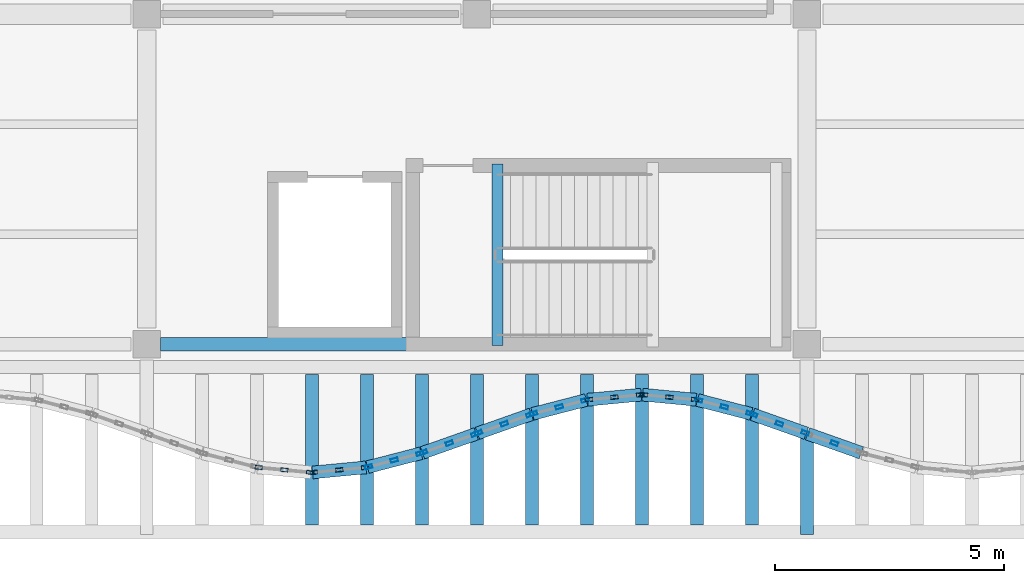
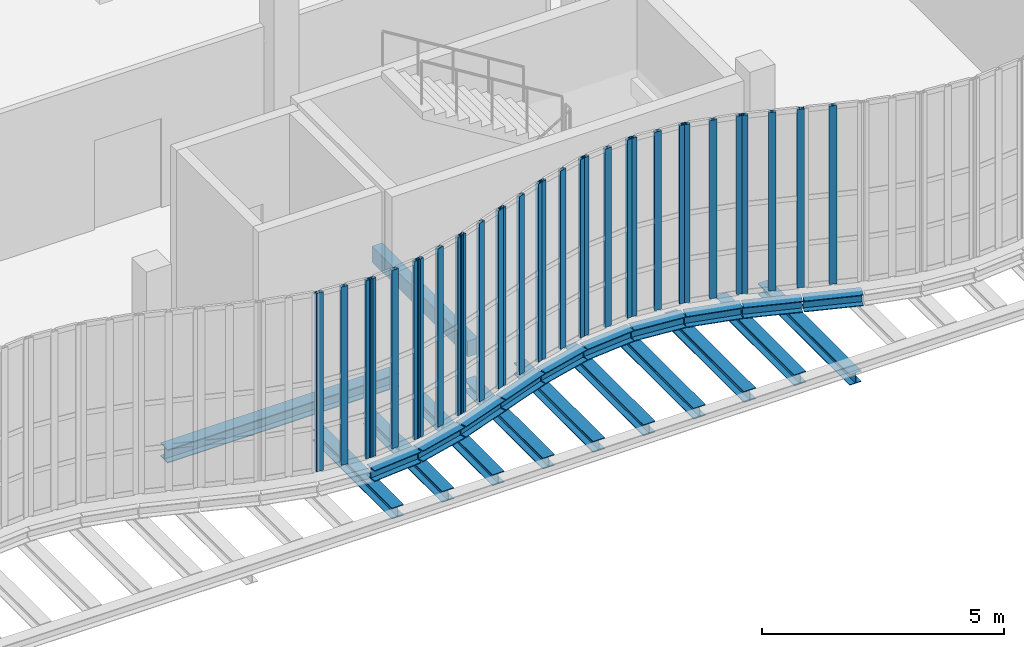
# One storey, part 32 of 105: 31 members, 22 beams, 11 elements without a shape of their own.
"""IFC4 building model written with IfcOpenShell, lengths in metres."""

from ifc_helpers import new_model, si_unit, direction, frame, origin, origin_2d, place, context, subcontext, project, spatial, rectangle, hollow_rectangle, i_section, extrude, material, layer, layer_set, material_profile, profile_set, type_object, element, aggregate, save


model = new_model("IFC4")

# Units and contexts
model_context = context("Model", 3, precision=1e-05, world=origin(), true_north=direction((0.0, 1.0)))
body_context = subcontext(model_context, "Body", "Model", "MODEL_VIEW")
ifc_project = project(units=[si_unit("LENGTHUNIT", "METRE"), si_unit("AREAUNIT", "SQUARE_METRE"), si_unit("VOLUMEUNIT", "CUBIC_METRE"), si_unit("PLANEANGLEUNIT", "RADIAN"), si_unit("MASSUNIT", "GRAM", prefix="KILO"), si_unit("THERMODYNAMICTEMPERATUREUNIT", "KELVIN"), si_unit("POWERUNIT", "WATT")], contexts=[model_context])

# Site, building, storey
site_placement = place(None, origin())
site = spatial("IfcSite", under=ifc_project, at=site_placement, CompositionType="ELEMENT")
building_placement = place(site_placement, origin())
building = spatial("IfcBuilding", under=site, at=building_placement, Name="Kaldorven Railside Theatre", CompositionType="ELEMENT")
storey_placement = place(building_placement, frame((0.0, 0.0, 9.89990234375)))
storey = spatial("IfcBuildingStorey", under=building, at=storey_placement, Name="L02", CompositionType="ELEMENT", Elevation=9.89990234375)

# Beams
ifc_material_1 = material(Name="Steel S355", Category="steel")
ifc_material_profile_1 = material_profile(ifc_material_1, i_section(OverallWidth=0.280029296875, OverallDepth=0.280029296875, WebThickness=0.010498046875, FlangeThickness=0.01806640625, at=origin_2d()), Name="HEB 280")
ifc_profile_set_1 = profile_set([ifc_material_profile_1], Name="Steel S355")
beam_type_1 = type_object("IfcBeamType", Name="BM-HEB280", PredefinedType="SPANDREL", material=ifc_profile_set_1)
beam_1_placement = place(storey_placement, frame((116.0, 15.050048828125, -0.97998046875), z_axis=(0.0, 1.0, 0.0), x_axis=(-1.0, 0.0, 0.0)))
element("IfcBeam", 1, at=beam_1_placement, inside=storey, type_object=beam_type_1, Name="L02 Sinusoidal Lower Cantilever Girder FOB-K023", PredefinedType="SPANDREL", context=body_context, shape_type="SweptSolid", body=[
    extrude(i_section(OverallWidth=0.280029296875, OverallDepth=0.280029296875, WebThickness=0.010498046875, FlangeThickness=0.01806640625, at=origin_2d()), origin(), (0.0, 0.0, 1.0), 3.800048828125),
])
beam_2_placement = place(storey_placement, frame((105.21484375, 16.4013671875, -0.419921875), z_axis=(0.99552436473, 0.094505233873, 0.0), x_axis=(-0.094505233873, 0.99552436473, 0.0)))
element("IfcBeam", 2, at=beam_2_placement, inside=storey, type_object=beam_type_1, Name="L02 Sinusoidal Flute Edge Spandrel FSB-130", PredefinedType="SPANDREL", context=body_context, shape_type="SweptSolid", body=[
    extrude(i_section(OverallWidth=0.280029296875, OverallDepth=0.280029296875, WebThickness=0.010498046875, FlangeThickness=0.01806640625, at=origin_2d()), origin(), (0.0, 0.0, 1.0), 1.175537109375),
])
beam_3_placement = place(storey_placement, frame((105.199951171875, 15.260009765625, -0.699951171875), z_axis=(0.0, 1.0, 0.0), x_axis=(-1.0, 0.0, 0.0)))
element("IfcBeam", 3, at=beam_3_placement, inside=storey, type_object=beam_type_1, Name="L02 Sinusoidal Diaphragm Rib Outrigger FOB-M130", PredefinedType="SPANDREL", context=body_context, shape_type="SweptSolid", body=[
    extrude(i_section(OverallWidth=0.280029296875, OverallDepth=0.280029296875, WebThickness=0.010498046875, FlangeThickness=0.01806640625, at=origin_2d()), origin(), (0.0, 0.0, 1.0), 3.280029296875),
])
beam_4_placement = place(storey_placement, frame((106.41455078125, 16.517578125, -0.419921875), z_axis=(0.967967836725, 0.251074226206, 0.0), x_axis=(-0.251074226206, 0.967967836725, 0.0)))
element("IfcBeam", 4, at=beam_4_placement, inside=storey, type_object=beam_type_1, Name="L02 Sinusoidal Flute Edge Spandrel FSB-131", PredefinedType="SPANDREL", context=body_context, shape_type="SweptSolid", body=[
    extrude(i_section(OverallWidth=0.280029296875, OverallDepth=0.280029296875, WebThickness=0.010498046875, FlangeThickness=0.01806640625, at=origin_2d()), origin(), (0.0, 0.0, 1.0), 1.209716796875),
])
beam_5_placement = place(storey_placement, frame((106.39990234375, 15.260009765625, -0.699951171875), z_axis=(0.0, 1.0, 0.0), x_axis=(-1.0, 0.0, 0.0)))
element("IfcBeam", 5, at=beam_5_placement, inside=storey, type_object=beam_type_1, Name="L02 Sinusoidal Diaphragm Rib Outrigger FOB-M131", PredefinedType="SPANDREL", context=body_context, shape_type="SweptSolid", body=[
    extrude(i_section(OverallWidth=0.280029296875, OverallDepth=0.280029296875, WebThickness=0.010498046875, FlangeThickness=0.01806640625, at=origin_2d()), origin(), (0.0, 0.0, 1.0), 3.280029296875),
])
beam_6_placement = place(storey_placement, frame((107.614013671875, 16.830078125, -0.419921875), z_axis=(0.942627225161, 0.333847142245, 0.0), x_axis=(-0.333847142245, 0.942627225161, 0.0)))
element("IfcBeam", 6, at=beam_6_placement, inside=storey, type_object=beam_type_1, Name="L02 Sinusoidal Flute Edge Spandrel FSB-132", PredefinedType="SPANDREL", context=body_context, shape_type="SweptSolid", body=[
    extrude(i_section(OverallWidth=0.280029296875, OverallDepth=0.280029296875, WebThickness=0.010498046875, FlangeThickness=0.01806640625, at=origin_2d()), origin(), (0.0, 0.0, 1.0), 1.2431640625),
])
beam_7_placement = place(storey_placement, frame((107.60009765625, 15.260009765625, -0.699951171875), z_axis=(0.0, 1.0, 0.0), x_axis=(-1.0, 0.0, 0.0)))
element("IfcBeam", 7, at=beam_7_placement, inside=storey, type_object=beam_type_1, Name="L02 Sinusoidal Diaphragm Rib Outrigger FOB-M132", PredefinedType="SPANDREL", context=body_context, shape_type="SweptSolid", body=[
    extrude(i_section(OverallWidth=0.280029296875, OverallDepth=0.280029296875, WebThickness=0.010498046875, FlangeThickness=0.01806640625, at=origin_2d()), origin(), (0.0, 0.0, 1.0), 3.280029296875),
])
beam_8_placement = place(storey_placement, frame((108.814208984375, 17.2548828125, -0.419921875), z_axis=(0.942605331688, 0.333908952671, 0.0), x_axis=(-0.333908952671, 0.942605331688, 0.0)))
element("IfcBeam", 8, at=beam_8_placement, inside=storey, type_object=beam_type_1, Name="L02 Sinusoidal Flute Edge Spandrel FSB-133", PredefinedType="SPANDREL", context=body_context, shape_type="SweptSolid", body=[
    extrude(i_section(OverallWidth=0.280029296875, OverallDepth=0.280029296875, WebThickness=0.010498046875, FlangeThickness=0.01806640625, at=origin_2d()), origin(), (0.0, 0.0, 1.0), 1.242919921875),
])
beam_9_placement = place(storey_placement, frame((108.800048828125, 15.260009765625, -0.699951171875), z_axis=(0.0, 1.0, 0.0), x_axis=(-1.0, 0.0, 0.0)))
element("IfcBeam", 9, at=beam_9_placement, inside=storey, type_object=beam_type_1, Name="L02 Sinusoidal Diaphragm Rib Outrigger FOB-M133", PredefinedType="SPANDREL", context=body_context, shape_type="SweptSolid", body=[
    extrude(i_section(OverallWidth=0.280029296875, OverallDepth=0.280029296875, WebThickness=0.010498046875, FlangeThickness=0.01806640625, at=origin_2d()), origin(), (0.0, 0.0, 1.0), 3.280029296875),
])
beam_10_placement = place(storey_placement, frame((110.014404296875, 17.6787109375, -0.419921875), z_axis=(0.967980555895, 0.25102518481, 0.0), x_axis=(-0.25102518481, 0.967980555895, 0.0)))
element("IfcBeam", 10, at=beam_10_placement, inside=storey, type_object=beam_type_1, Name="L02 Sinusoidal Flute Edge Spandrel FSB-134", PredefinedType="SPANDREL", context=body_context, shape_type="SweptSolid", body=[
    extrude(i_section(OverallWidth=0.280029296875, OverallDepth=0.280029296875, WebThickness=0.010498046875, FlangeThickness=0.01806640625, at=origin_2d()), origin(), (0.0, 0.0, 1.0), 1.2099609375),
])
beam_11_placement = place(storey_placement, frame((110.0, 15.260009765625, -0.699951171875), z_axis=(0.0, 1.0, 0.0), x_axis=(-1.0, 0.0, 0.0)))
element("IfcBeam", 11, at=beam_11_placement, inside=storey, type_object=beam_type_1, Name="L02 Sinusoidal Diaphragm Rib Outrigger FOB-M134", PredefinedType="SPANDREL", context=body_context, shape_type="SweptSolid", body=[
    extrude(i_section(OverallWidth=0.280029296875, OverallDepth=0.280029296875, WebThickness=0.010498046875, FlangeThickness=0.01806640625, at=origin_2d()), origin(), (0.0, 0.0, 1.0), 3.280029296875),
])
beam_12_placement = place(storey_placement, frame((111.21484375, 17.987548828125, -0.419921875), z_axis=(0.99552436473, 0.094505233873, 0.0), x_axis=(-0.094505233873, 0.99552436473, 0.0)))
element("IfcBeam", 12, at=beam_12_placement, inside=storey, type_object=beam_type_1, Name="L02 Sinusoidal Flute Edge Spandrel FSB-135", PredefinedType="SPANDREL", context=body_context, shape_type="SweptSolid", body=[
    extrude(i_section(OverallWidth=0.280029296875, OverallDepth=0.280029296875, WebThickness=0.010498046875, FlangeThickness=0.01806640625, at=origin_2d()), origin(), (0.0, 0.0, 1.0), 1.175537109375),
])
beam_13_placement = place(storey_placement, frame((111.199951171875, 15.260009765625, -0.699951171875), z_axis=(0.0, 1.0, 0.0), x_axis=(-1.0, 0.0, 0.0)))
element("IfcBeam", 13, at=beam_13_placement, inside=storey, type_object=beam_type_1, Name="L02 Sinusoidal Diaphragm Rib Outrigger FOB-M135", PredefinedType="SPANDREL", context=body_context, shape_type="SweptSolid", body=[
    extrude(i_section(OverallWidth=0.280029296875, OverallDepth=0.280029296875, WebThickness=0.010498046875, FlangeThickness=0.01806640625, at=origin_2d()), origin(), (0.0, 0.0, 1.0), 3.280029296875),
])
beam_14_placement = place(storey_placement, frame((112.414794921875, 18.0986328125, -0.419921875), z_axis=(0.995526219207, -0.09448569665, 0.0), x_axis=(0.09448569665, 0.995526219207, 0.0)))
element("IfcBeam", 14, at=beam_14_placement, inside=storey, type_object=beam_type_1, Name="L02 Sinusoidal Flute Edge Spandrel FSB-136", PredefinedType="SPANDREL", context=body_context, shape_type="SweptSolid", body=[
    extrude(i_section(OverallWidth=0.280029296875, OverallDepth=0.280029296875, WebThickness=0.010498046875, FlangeThickness=0.01806640625, at=origin_2d()), origin(), (0.0, 0.0, 1.0), 1.17578125),
])
beam_15_placement = place(storey_placement, frame((112.39990234375, 15.260009765625, -0.699951171875), z_axis=(0.0, 1.0, 0.0), x_axis=(-1.0, 0.0, 0.0)))
element("IfcBeam", 15, at=beam_15_placement, inside=storey, type_object=beam_type_1, Name="L02 Sinusoidal Diaphragm Rib Outrigger FOB-M136", PredefinedType="SPANDREL", context=body_context, shape_type="SweptSolid", body=[
    extrude(i_section(OverallWidth=0.280029296875, OverallDepth=0.280029296875, WebThickness=0.010498046875, FlangeThickness=0.01806640625, at=origin_2d()), origin(), (0.0, 0.0, 1.0), 3.280029296875),
])
beam_16_placement = place(storey_placement, frame((113.614501953125, 17.982421875, -0.419921875), z_axis=(0.967967836725, -0.251074226206, 0.0), x_axis=(0.251074226206, 0.967967836725, 0.0)))
element("IfcBeam", 16, at=beam_16_placement, inside=storey, type_object=beam_type_1, Name="L02 Sinusoidal Flute Edge Spandrel FSB-137", PredefinedType="SPANDREL", context=body_context, shape_type="SweptSolid", body=[
    extrude(i_section(OverallWidth=0.280029296875, OverallDepth=0.280029296875, WebThickness=0.010498046875, FlangeThickness=0.01806640625, at=origin_2d()), origin(), (0.0, 0.0, 1.0), 1.209716796875),
])
beam_17_placement = place(storey_placement, frame((113.60009765625, 15.260009765625, -0.699951171875), z_axis=(0.0, 1.0, 0.0), x_axis=(-1.0, 0.0, 0.0)))
element("IfcBeam", 17, at=beam_17_placement, inside=storey, type_object=beam_type_1, Name="L02 Sinusoidal Diaphragm Rib Outrigger FOB-M137", PredefinedType="SPANDREL", context=body_context, shape_type="SweptSolid", body=[
    extrude(i_section(OverallWidth=0.280029296875, OverallDepth=0.280029296875, WebThickness=0.010498046875, FlangeThickness=0.01806640625, at=origin_2d()), origin(), (0.0, 0.0, 1.0), 3.280029296875),
])
beam_18_placement = place(storey_placement, frame((114.814208984375, 17.669921875, -0.419921875), z_axis=(0.942605331688, -0.333908952671, 0.0), x_axis=(0.333908952671, 0.942605331688, 0.0)))
element("IfcBeam", 18, at=beam_18_placement, inside=storey, type_object=beam_type_1, Name="L02 Sinusoidal Flute Edge Spandrel FSB-138", PredefinedType="SPANDREL", context=body_context, shape_type="SweptSolid", body=[
    extrude(i_section(OverallWidth=0.280029296875, OverallDepth=0.280029296875, WebThickness=0.010498046875, FlangeThickness=0.01806640625, at=origin_2d()), origin(), (0.0, 0.0, 1.0), 1.242919921875),
])
beam_19_placement = place(storey_placement, frame((114.800048828125, 15.260009765625, -0.699951171875), z_axis=(0.0, 1.0, 0.0), x_axis=(-1.0, 0.0, 0.0)))
element("IfcBeam", 19, at=beam_19_placement, inside=storey, type_object=beam_type_1, Name="L02 Sinusoidal Diaphragm Rib Outrigger FOB-M138", PredefinedType="SPANDREL", context=body_context, shape_type="SweptSolid", body=[
    extrude(i_section(OverallWidth=0.280029296875, OverallDepth=0.280029296875, WebThickness=0.010498046875, FlangeThickness=0.01806640625, at=origin_2d()), origin(), (0.0, 0.0, 1.0), 3.280029296875),
])
beam_20_placement = place(storey_placement, frame((116.01416015625, 17.2451171875, -0.419921875), z_axis=(0.942605331688, -0.333908952671, 0.0), x_axis=(0.333908952671, 0.942605331688, 0.0)))
element("IfcBeam", 20, at=beam_20_placement, inside=storey, type_object=beam_type_1, Name="L02 Sinusoidal Flute Edge Spandrel FSB-139", PredefinedType="SPANDREL", context=body_context, shape_type="SweptSolid", body=[
    extrude(i_section(OverallWidth=0.280029296875, OverallDepth=0.280029296875, WebThickness=0.010498046875, FlangeThickness=0.01806640625, at=origin_2d()), origin(), (0.0, 0.0, 1.0), 1.242919921875),
])
ifc_material_profile_2 = material_profile(ifc_material_1, i_section(OverallWidth=0.300048828125, OverallDepth=0.340087890625, WebThickness=0.011962890625, FlangeThickness=0.021484375, at=origin_2d()), Name="HEB 340")
ifc_profile_set_2 = profile_set([ifc_material_profile_2], Name="Steel S355")
beam_type_2 = type_object("IfcBeamType", Name="BM-HEB340", PredefinedType="SPANDREL", material=ifc_profile_set_2)
beam_21_placement = place(storey_placement, frame((101.89990234375, 19.199951171875, -0.449951171875), z_axis=(1.0, 0.0, 0.0), x_axis=(0.0, 1.0, 0.0)))
element("IfcBeam", 21, at=beam_21_placement, inside=storey, type_object=beam_type_2, Name="L02 Foyer Spandrel Header Girder FSPN-L02", PredefinedType="SPANDREL", context=body_context, shape_type="SweptSolid", body=[
    extrude(i_section(OverallWidth=0.300048828125, OverallDepth=0.340087890625, WebThickness=0.011962890625, FlangeThickness=0.021484375, at=origin_2d()), origin(), (0.0, 0.0, 1.0), 5.52001953125),
])
ifc_material_2 = material(Name="Concrete C40/50", Category="concrete")
ifc_material_profile_3 = material_profile(ifc_material_2, rectangle(XDim=0.25, YDim=0.39990234375, at=origin_2d()), Name="RC 250x400")
ifc_profile_set_3 = profile_set([ifc_material_profile_3], Name="Concrete C40/50")
beam_type_3 = type_object("IfcBeamType", Name="BM-RC250x400", PredefinedType="LINTEL", material=ifc_profile_set_3)
beam_22_placement = place(storey_placement, frame((109.25, 19.169921875, -0.344970703125), z_axis=(0.0, 1.0, 0.0), x_axis=(-1.0, 0.0, 0.0)))
element("IfcBeam", 22, at=beam_22_placement, inside=storey, type_object=beam_type_3, Name="Stair ST-04 L02 Landing Trimmer Beam", PredefinedType="LINTEL", context=body_context, shape_type="SweptSolid", body=[
    extrude(rectangle(XDim=0.25, YDim=0.39990234375, at=origin_2d()), origin(), (0.0, 0.0, 1.0), 3.9599609375),
])

# Curtain wall, members
ifc_material_3 = material(Name="Low-E laminated solar-control glass", Category="glass")
ifc_layer_1 = layer(ifc_material_3, 0.159912109375, Name="Low-E laminated solar-control glass")
ifc_layer_set_1 = layer_set([ifc_layer_1], Name="Low-E laminated solar-control glass")
curtain_wall_type_1 = type_object("IfcCurtainWallType", Name="CWT-03", PredefinedType="USERDEFINED", material=ifc_layer_set_1)
curtain_wall_1_placement = place(storey_placement, origin())
curtain_wall_1 = element("IfcCurtainWall", 23, at=curtain_wall_1_placement, inside=storey, type_object=curtain_wall_type_1, Name="Sinusoidal Fluted Curtain Wall CW-L02-S57", ObjectType="FLUTED GLAZING", PredefinedType="USERDEFINED")
ifc_material_4 = material(Name="Anodised bronze aluminium", Category="aluminium")
ifc_material_profile_4 = material_profile(ifc_material_4, hollow_rectangle(XDim=0.080078125, YDim=0.159912109375, WallThickness=0.00634765625, at=origin_2d()), Name="RHS 160x80x6.3")
ifc_profile_set_4 = profile_set([ifc_material_profile_4], Name="Anodised bronze aluminium")
member_type = type_object("IfcMemberType", Name="CWM-160", PredefinedType="MULLION", material=ifc_profile_set_4)
member_1_placement = place(storey_placement, frame((104.039794921875, 16.510009765625, 0.0), z_axis=(0.0, 0.0, 1.0), x_axis=(0.094491973758, 0.995525623425, 0.0)))
member_1 = element("IfcMember", 24, at=member_1_placement, type_object=member_type, Name="CW-L02-S57 mullion 1", PredefinedType="MULLION", context=body_context, shape_type="SweptSolid", body=[
    extrude(hollow_rectangle(XDim=0.080078125, YDim=0.159912109375, WallThickness=0.00634765625, at=origin_2d()), origin(), (0.0, 0.0, 1.0), 4.5),
])
member_2_placement = place(storey_placement, frame((104.60009765625, 16.45703125, 0.0), z_axis=(0.0, 0.0, 1.0), x_axis=(0.094491973758, 0.995525623425, 0.0)))
member_2 = element("IfcMember", 25, at=member_2_placement, type_object=member_type, Name="CW-L02-S57 mullion 2", PredefinedType="MULLION", context=body_context, shape_type="SweptSolid", body=[
    extrude(hollow_rectangle(XDim=0.080078125, YDim=0.159912109375, WallThickness=0.00634765625, at=origin_2d()), origin(), (0.0, 0.0, 1.0), 4.5),
])
member_3_placement = place(storey_placement, frame((105.16015625, 16.40380859375, 0.0), z_axis=(0.0, 0.0, 1.0), x_axis=(0.094491973758, 0.995525623425, 0.0)))
member_3 = element("IfcMember", 26, at=member_3_placement, type_object=member_type, Name="CW-L02-S57 mullion 3", PredefinedType="MULLION", context=body_context, shape_type="SweptSolid", body=[
    extrude(hollow_rectangle(XDim=0.080078125, YDim=0.159912109375, WallThickness=0.00634765625, at=origin_2d()), origin(), (0.0, 0.0, 1.0), 4.5),
])
aggregate(curtain_wall_1, [member_1, member_2, member_3])

curtain_wall_2_placement = place(storey_placement, origin())
curtain_wall_2 = element("IfcCurtainWall", 27, at=curtain_wall_2_placement, inside=storey, type_object=curtain_wall_type_1, Name="Sinusoidal Fluted Curtain Wall CW-L02-S58", ObjectType="FLUTED GLAZING", PredefinedType="USERDEFINED")
member_4_placement = place(storey_placement, frame((105.23974609375, 16.40380859375, 0.0), z_axis=(0.0, 0.0, 1.0), x_axis=(-0.094491973758, 0.995525623425, 0.0)))
member_4 = element("IfcMember", 28, at=member_4_placement, type_object=member_type, Name="CW-L02-S58 mullion 1", PredefinedType="MULLION", context=body_context, shape_type="SweptSolid", body=[
    extrude(hollow_rectangle(XDim=0.080078125, YDim=0.159912109375, WallThickness=0.00634765625, at=origin_2d()), origin(), (0.0, 0.0, 1.0), 4.5),
])
member_5_placement = place(storey_placement, frame((105.800048828125, 16.45703125, 0.0), z_axis=(0.0, 0.0, 1.0), x_axis=(-0.094491973758, 0.995525623425, 0.0)))
member_5 = element("IfcMember", 29, at=member_5_placement, type_object=member_type, Name="CW-L02-S58 mullion 2", PredefinedType="MULLION", context=body_context, shape_type="SweptSolid", body=[
    extrude(hollow_rectangle(XDim=0.080078125, YDim=0.159912109375, WallThickness=0.00634765625, at=origin_2d()), origin(), (0.0, 0.0, 1.0), 4.5),
])
member_6_placement = place(storey_placement, frame((106.360107421875, 16.510009765625, 0.0), z_axis=(0.0, 0.0, 1.0), x_axis=(-0.094491973758, 0.995525623425, 0.0)))
member_6 = element("IfcMember", 30, at=member_6_placement, type_object=member_type, Name="CW-L02-S58 mullion 3", PredefinedType="MULLION", context=body_context, shape_type="SweptSolid", body=[
    extrude(hollow_rectangle(XDim=0.080078125, YDim=0.159912109375, WallThickness=0.00634765625, at=origin_2d()), origin(), (0.0, 0.0, 1.0), 4.5),
])
aggregate(curtain_wall_2, [member_4, member_5, member_6])

ifc_layer_2 = layer(ifc_material_3, 0.159912109375, Name="Low-E laminated solar-control glass")
ifc_layer_set_2 = layer_set([ifc_layer_2], Name="Low-E laminated solar-control glass")
curtain_wall_type_2 = type_object("IfcCurtainWallType", Name="CWT-02", PredefinedType="USERDEFINED", material=ifc_layer_set_2)
curtain_wall_3_placement = place(storey_placement, origin())
curtain_wall_3 = element("IfcCurtainWall", 31, at=curtain_wall_3_placement, inside=storey, type_object=curtain_wall_type_2, Name="Sinusoidal Fluted Curtain Wall CW-L02-S59", ObjectType="FLUTED GLAZING", PredefinedType="USERDEFINED")
member_7_placement = place(storey_placement, frame((106.438720703125, 16.52392578125, 0.0), z_axis=(0.0, 0.0, 1.0), x_axis=(-0.250953760326, 0.967999075505, 0.0)))
member_7 = element("IfcMember", 32, at=member_7_placement, type_object=member_type, Name="CW-L02-S59 mullion 1", PredefinedType="MULLION", context=body_context, shape_type="SweptSolid", body=[
    extrude(hollow_rectangle(XDim=0.080078125, YDim=0.159912109375, WallThickness=0.00634765625, at=origin_2d()), origin(), (0.0, 0.0, 1.0), 4.5),
])
member_8_placement = place(storey_placement, frame((107.0, 16.66943359375, 0.0), z_axis=(0.0, 0.0, 1.0), x_axis=(-0.250953760326, 0.967999075505, 0.0)))
member_8 = element("IfcMember", 33, at=member_8_placement, type_object=member_type, Name="CW-L02-S59 mullion 2", PredefinedType="MULLION", context=body_context, shape_type="SweptSolid", body=[
    extrude(hollow_rectangle(XDim=0.080078125, YDim=0.159912109375, WallThickness=0.00634765625, at=origin_2d()), origin(), (0.0, 0.0, 1.0), 4.5),
])
member_9_placement = place(storey_placement, frame((107.561279296875, 16.81494140625, 0.0), z_axis=(0.0, 0.0, 1.0), x_axis=(-0.250953760326, 0.967999075505, 0.0)))
member_9 = element("IfcMember", 34, at=member_9_placement, type_object=member_type, Name="CW-L02-S59 mullion 3", PredefinedType="MULLION", context=body_context, shape_type="SweptSolid", body=[
    extrude(hollow_rectangle(XDim=0.080078125, YDim=0.159912109375, WallThickness=0.00634765625, at=origin_2d()), origin(), (0.0, 0.0, 1.0), 4.5),
])
aggregate(curtain_wall_3, [member_7, member_8, member_9])

ifc_layer_3 = layer(ifc_material_3, 0.159912109375, Name="Low-E laminated solar-control glass")
ifc_layer_set_3 = layer_set([ifc_layer_3], Name="Low-E laminated solar-control glass")
curtain_wall_type_3 = type_object("IfcCurtainWallType", Name="CWT-01", PredefinedType="USERDEFINED", material=ifc_layer_set_3)
curtain_wall_4_placement = place(storey_placement, origin())
curtain_wall_4 = element("IfcCurtainWall", 35, at=curtain_wall_4_placement, inside=storey, type_object=curtain_wall_type_3, Name="Sinusoidal Fluted Curtain Wall CW-L02-S60", ObjectType="FLUTED GLAZING", PredefinedType="USERDEFINED")
member_10_placement = place(storey_placement, frame((107.6376953125, 16.83837890625, 0.0), z_axis=(0.0, 0.0, 1.0), x_axis=(-0.33384714225, 0.942627225159, 0.0)))
member_10 = element("IfcMember", 36, at=member_10_placement, type_object=member_type, Name="CW-L02-S60 mullion 1", PredefinedType="MULLION", context=body_context, shape_type="SweptSolid", body=[
    extrude(hollow_rectangle(XDim=0.080078125, YDim=0.159912109375, WallThickness=0.00634765625, at=origin_2d()), origin(), (0.0, 0.0, 1.0), 4.5),
])
member_11_placement = place(storey_placement, frame((108.199951171875, 17.03759765625, 0.0), z_axis=(0.0, 0.0, 1.0), x_axis=(-0.33384714225, 0.942627225159, 0.0)))
member_11 = element("IfcMember", 37, at=member_11_placement, type_object=member_type, Name="CW-L02-S60 mullion 2", PredefinedType="MULLION", context=body_context, shape_type="SweptSolid", body=[
    extrude(hollow_rectangle(XDim=0.080078125, YDim=0.159912109375, WallThickness=0.00634765625, at=origin_2d()), origin(), (0.0, 0.0, 1.0), 4.5),
])
member_12_placement = place(storey_placement, frame((108.76220703125, 17.236572265625, 0.0), z_axis=(0.0, 0.0, 1.0), x_axis=(-0.33384714225, 0.942627225159, 0.0)))
member_12 = element("IfcMember", 38, at=member_12_placement, type_object=member_type, Name="CW-L02-S60 mullion 3", PredefinedType="MULLION", context=body_context, shape_type="SweptSolid", body=[
    extrude(hollow_rectangle(XDim=0.080078125, YDim=0.159912109375, WallThickness=0.00634765625, at=origin_2d()), origin(), (0.0, 0.0, 1.0), 4.5),
])
aggregate(curtain_wall_4, [member_10, member_11, member_12])

curtain_wall_5_placement = place(storey_placement, origin())
curtain_wall_5 = element("IfcCurtainWall", 39, at=curtain_wall_5_placement, inside=storey, type_object=curtain_wall_type_3, Name="Sinusoidal Fluted Curtain Wall CW-L02-S61", ObjectType="FLUTED GLAZING", PredefinedType="USERDEFINED")
member_13_placement = place(storey_placement, frame((108.837646484375, 17.263427734375, 0.0), z_axis=(0.0, 0.0, 1.0), x_axis=(-0.33384714225, 0.942627225159, 0.0)))
member_13 = element("IfcMember", 40, at=member_13_placement, type_object=member_type, Name="CW-L02-S61 mullion 1", PredefinedType="MULLION", context=body_context, shape_type="SweptSolid", body=[
    extrude(hollow_rectangle(XDim=0.080078125, YDim=0.159912109375, WallThickness=0.00634765625, at=origin_2d()), origin(), (0.0, 0.0, 1.0), 4.5),
])
member_14_placement = place(storey_placement, frame((109.39990234375, 17.46240234375, 0.0), z_axis=(0.0, 0.0, 1.0), x_axis=(-0.33384714225, 0.942627225159, 0.0)))
member_14 = element("IfcMember", 41, at=member_14_placement, type_object=member_type, Name="CW-L02-S61 mullion 2", PredefinedType="MULLION", context=body_context, shape_type="SweptSolid", body=[
    extrude(hollow_rectangle(XDim=0.080078125, YDim=0.159912109375, WallThickness=0.00634765625, at=origin_2d()), origin(), (0.0, 0.0, 1.0), 4.5),
])
member_15_placement = place(storey_placement, frame((109.96240234375, 17.66162109375, 0.0), z_axis=(0.0, 0.0, 1.0), x_axis=(-0.33384714225, 0.942627225159, 0.0)))
member_15 = element("IfcMember", 42, at=member_15_placement, type_object=member_type, Name="CW-L02-S61 mullion 3", PredefinedType="MULLION", context=body_context, shape_type="SweptSolid", body=[
    extrude(hollow_rectangle(XDim=0.080078125, YDim=0.159912109375, WallThickness=0.00634765625, at=origin_2d()), origin(), (0.0, 0.0, 1.0), 4.5),
])
aggregate(curtain_wall_5, [member_13, member_14, member_15])

curtain_wall_6_placement = place(storey_placement, origin())
curtain_wall_6 = element("IfcCurtainWall", 43, at=curtain_wall_6_placement, inside=storey, type_object=curtain_wall_type_2, Name="Sinusoidal Fluted Curtain Wall CW-L02-S62", ObjectType="FLUTED GLAZING", PredefinedType="USERDEFINED")
member_16_placement = place(storey_placement, frame((110.038818359375, 17.68505859375, 0.0), z_axis=(0.0, 0.0, 1.0), x_axis=(-0.250953760326, 0.967999075505, 0.0)))
member_16 = element("IfcMember", 44, at=member_16_placement, type_object=member_type, Name="CW-L02-S62 mullion 1", PredefinedType="MULLION", context=body_context, shape_type="SweptSolid", body=[
    extrude(hollow_rectangle(XDim=0.080078125, YDim=0.159912109375, WallThickness=0.00634765625, at=origin_2d()), origin(), (0.0, 0.0, 1.0), 4.5),
])
member_17_placement = place(storey_placement, frame((110.60009765625, 17.83056640625, 0.0), z_axis=(0.0, 0.0, 1.0), x_axis=(-0.250953760326, 0.967999075505, 0.0)))
member_17 = element("IfcMember", 45, at=member_17_placement, type_object=member_type, Name="CW-L02-S62 mullion 2", PredefinedType="MULLION", context=body_context, shape_type="SweptSolid", body=[
    extrude(hollow_rectangle(XDim=0.080078125, YDim=0.159912109375, WallThickness=0.00634765625, at=origin_2d()), origin(), (0.0, 0.0, 1.0), 4.5),
])
member_18_placement = place(storey_placement, frame((111.161376953125, 17.97607421875, 0.0), z_axis=(0.0, 0.0, 1.0), x_axis=(-0.250953760326, 0.967999075505, 0.0)))
member_18 = element("IfcMember", 46, at=member_18_placement, type_object=member_type, Name="CW-L02-S62 mullion 3", PredefinedType="MULLION", context=body_context, shape_type="SweptSolid", body=[
    extrude(hollow_rectangle(XDim=0.080078125, YDim=0.159912109375, WallThickness=0.00634765625, at=origin_2d()), origin(), (0.0, 0.0, 1.0), 4.5),
])
aggregate(curtain_wall_6, [member_16, member_17, member_18])

curtain_wall_7_placement = place(storey_placement, origin())
curtain_wall_7 = element("IfcCurtainWall", 47, at=curtain_wall_7_placement, inside=storey, type_object=curtain_wall_type_1, Name="Sinusoidal Fluted Curtain Wall CW-L02-S63", ObjectType="FLUTED GLAZING", PredefinedType="USERDEFINED")
member_19_placement = place(storey_placement, frame((111.23974609375, 17.989990234375, 0.0), z_axis=(0.0, 0.0, 1.0), x_axis=(-0.094491973758, 0.995525623425, 0.0)))
member_19 = element("IfcMember", 48, at=member_19_placement, type_object=member_type, Name="CW-L02-S63 mullion 1", PredefinedType="MULLION", context=body_context, shape_type="SweptSolid", body=[
    extrude(hollow_rectangle(XDim=0.080078125, YDim=0.159912109375, WallThickness=0.00634765625, at=origin_2d()), origin(), (0.0, 0.0, 1.0), 4.5),
])
member_20_placement = place(storey_placement, frame((111.800048828125, 18.04296875, 0.0), z_axis=(0.0, 0.0, 1.0), x_axis=(-0.094491973758, 0.995525623425, 0.0)))
member_20 = element("IfcMember", 49, at=member_20_placement, type_object=member_type, Name="CW-L02-S63 mullion 2", PredefinedType="MULLION", context=body_context, shape_type="SweptSolid", body=[
    extrude(hollow_rectangle(XDim=0.080078125, YDim=0.159912109375, WallThickness=0.00634765625, at=origin_2d()), origin(), (0.0, 0.0, 1.0), 4.5),
])
member_21_placement = place(storey_placement, frame((112.360107421875, 18.09619140625, 0.0), z_axis=(0.0, 0.0, 1.0), x_axis=(-0.094491973758, 0.995525623425, 0.0)))
member_21 = element("IfcMember", 50, at=member_21_placement, type_object=member_type, Name="CW-L02-S63 mullion 3", PredefinedType="MULLION", context=body_context, shape_type="SweptSolid", body=[
    extrude(hollow_rectangle(XDim=0.080078125, YDim=0.159912109375, WallThickness=0.00634765625, at=origin_2d()), origin(), (0.0, 0.0, 1.0), 4.5),
])
aggregate(curtain_wall_7, [member_19, member_20, member_21])

curtain_wall_8_placement = place(storey_placement, origin())
curtain_wall_8 = element("IfcCurtainWall", 51, at=curtain_wall_8_placement, inside=storey, type_object=curtain_wall_type_1, Name="Sinusoidal Fluted Curtain Wall CW-L02-S64", ObjectType="FLUTED GLAZING", PredefinedType="USERDEFINED")
member_22_placement = place(storey_placement, frame((112.43994140625, 18.09619140625, 0.0), z_axis=(0.0, 0.0, 1.0), x_axis=(0.094491973758, 0.995525623425, 0.0)))
member_22 = element("IfcMember", 52, at=member_22_placement, type_object=member_type, Name="CW-L02-S64 mullion 1", PredefinedType="MULLION", context=body_context, shape_type="SweptSolid", body=[
    extrude(hollow_rectangle(XDim=0.080078125, YDim=0.159912109375, WallThickness=0.00634765625, at=origin_2d()), origin(), (0.0, 0.0, 1.0), 4.5),
])
member_23_placement = place(storey_placement, frame((113.0, 18.04296875, 0.0), z_axis=(0.0, 0.0, 1.0), x_axis=(0.094491973758, 0.995525623425, 0.0)))
member_23 = element("IfcMember", 53, at=member_23_placement, type_object=member_type, Name="CW-L02-S64 mullion 2", PredefinedType="MULLION", context=body_context, shape_type="SweptSolid", body=[
    extrude(hollow_rectangle(XDim=0.080078125, YDim=0.159912109375, WallThickness=0.00634765625, at=origin_2d()), origin(), (0.0, 0.0, 1.0), 4.5),
])
member_24_placement = place(storey_placement, frame((113.56005859375, 17.989990234375, 0.0), z_axis=(0.0, 0.0, 1.0), x_axis=(0.094491973758, 0.995525623425, 0.0)))
member_24 = element("IfcMember", 54, at=member_24_placement, type_object=member_type, Name="CW-L02-S64 mullion 3", PredefinedType="MULLION", context=body_context, shape_type="SweptSolid", body=[
    extrude(hollow_rectangle(XDim=0.080078125, YDim=0.159912109375, WallThickness=0.00634765625, at=origin_2d()), origin(), (0.0, 0.0, 1.0), 4.5),
])
aggregate(curtain_wall_8, [member_22, member_23, member_24])

curtain_wall_9_placement = place(storey_placement, origin())
curtain_wall_9 = element("IfcCurtainWall", 55, at=curtain_wall_9_placement, inside=storey, type_object=curtain_wall_type_2, Name="Sinusoidal Fluted Curtain Wall CW-L02-S65", ObjectType="FLUTED GLAZING", PredefinedType="USERDEFINED")
member_25_placement = place(storey_placement, frame((113.638671875, 17.97607421875, 0.0), z_axis=(0.0, 0.0, 1.0), x_axis=(0.250953760326, 0.967999075505, 0.0)))
member_25 = element("IfcMember", 56, at=member_25_placement, type_object=member_type, Name="CW-L02-S65 mullion 1", PredefinedType="MULLION", context=body_context, shape_type="SweptSolid", body=[
    extrude(hollow_rectangle(XDim=0.080078125, YDim=0.159912109375, WallThickness=0.00634765625, at=origin_2d()), origin(), (0.0, 0.0, 1.0), 4.5),
])
member_26_placement = place(storey_placement, frame((114.199951171875, 17.83056640625, 0.0), z_axis=(0.0, 0.0, 1.0), x_axis=(0.250953760326, 0.967999075505, 0.0)))
member_26 = element("IfcMember", 57, at=member_26_placement, type_object=member_type, Name="CW-L02-S65 mullion 2", PredefinedType="MULLION", context=body_context, shape_type="SweptSolid", body=[
    extrude(hollow_rectangle(XDim=0.080078125, YDim=0.159912109375, WallThickness=0.00634765625, at=origin_2d()), origin(), (0.0, 0.0, 1.0), 4.5),
])
member_27_placement = place(storey_placement, frame((114.76123046875, 17.68505859375, 0.0), z_axis=(0.0, 0.0, 1.0), x_axis=(0.250953760326, 0.967999075505, 0.0)))
member_27 = element("IfcMember", 58, at=member_27_placement, type_object=member_type, Name="CW-L02-S65 mullion 3", PredefinedType="MULLION", context=body_context, shape_type="SweptSolid", body=[
    extrude(hollow_rectangle(XDim=0.080078125, YDim=0.159912109375, WallThickness=0.00634765625, at=origin_2d()), origin(), (0.0, 0.0, 1.0), 4.5),
])
aggregate(curtain_wall_9, [member_25, member_26, member_27])

curtain_wall_10_placement = place(storey_placement, origin())
curtain_wall_10 = element("IfcCurtainWall", 59, at=curtain_wall_10_placement, inside=storey, type_object=curtain_wall_type_3, Name="Sinusoidal Fluted Curtain Wall CW-L02-S66", ObjectType="FLUTED GLAZING", PredefinedType="USERDEFINED")
member_28_placement = place(storey_placement, frame((114.837646484375, 17.66162109375, 0.0), z_axis=(0.0, 0.0, 1.0), x_axis=(0.33384714225, 0.942627225159, 0.0)))
member_28 = element("IfcMember", 60, at=member_28_placement, type_object=member_type, Name="CW-L02-S66 mullion 1", PredefinedType="MULLION", context=body_context, shape_type="SweptSolid", body=[
    extrude(hollow_rectangle(XDim=0.080078125, YDim=0.159912109375, WallThickness=0.00634765625, at=origin_2d()), origin(), (0.0, 0.0, 1.0), 4.5),
])
member_29_placement = place(storey_placement, frame((115.39990234375, 17.46240234375, 0.0), z_axis=(0.0, 0.0, 1.0), x_axis=(0.33384714225, 0.942627225159, 0.0)))
member_29 = element("IfcMember", 61, at=member_29_placement, type_object=member_type, Name="CW-L02-S66 mullion 2", PredefinedType="MULLION", context=body_context, shape_type="SweptSolid", body=[
    extrude(hollow_rectangle(XDim=0.080078125, YDim=0.159912109375, WallThickness=0.00634765625, at=origin_2d()), origin(), (0.0, 0.0, 1.0), 4.5),
])
member_30_placement = place(storey_placement, frame((115.96240234375, 17.263427734375, 0.0), z_axis=(0.0, 0.0, 1.0), x_axis=(0.33384714225, 0.942627225159, 0.0)))
member_30 = element("IfcMember", 62, at=member_30_placement, type_object=member_type, Name="CW-L02-S66 mullion 3", PredefinedType="MULLION", context=body_context, shape_type="SweptSolid", body=[
    extrude(hollow_rectangle(XDim=0.080078125, YDim=0.159912109375, WallThickness=0.00634765625, at=origin_2d()), origin(), (0.0, 0.0, 1.0), 4.5),
])
aggregate(curtain_wall_10, [member_28, member_29, member_30])

# Curtain wall, member
curtain_wall_11_placement = place(storey_placement, origin())
curtain_wall_11 = element("IfcCurtainWall", 63, at=curtain_wall_11_placement, inside=storey, type_object=curtain_wall_type_3, Name="Sinusoidal Fluted Curtain Wall CW-L02-S67", ObjectType="FLUTED GLAZING", PredefinedType="USERDEFINED")
member_31_placement = place(storey_placement, frame((116.60009765625, 17.03759765625, 0.0), z_axis=(0.0, 0.0, 1.0), x_axis=(0.33384714225, 0.942627225159, 0.0)))
member_31 = element("IfcMember", 64, at=member_31_placement, type_object=member_type, Name="CW-L02-S67 mullion 2", PredefinedType="MULLION", context=body_context, shape_type="SweptSolid", body=[
    extrude(hollow_rectangle(XDim=0.080078125, YDim=0.159912109375, WallThickness=0.00634765625, at=origin_2d()), origin(), (0.0, 0.0, 1.0), 4.5),
])
aggregate(curtain_wall_11, [member_31])

save(model, "model.ifc")
